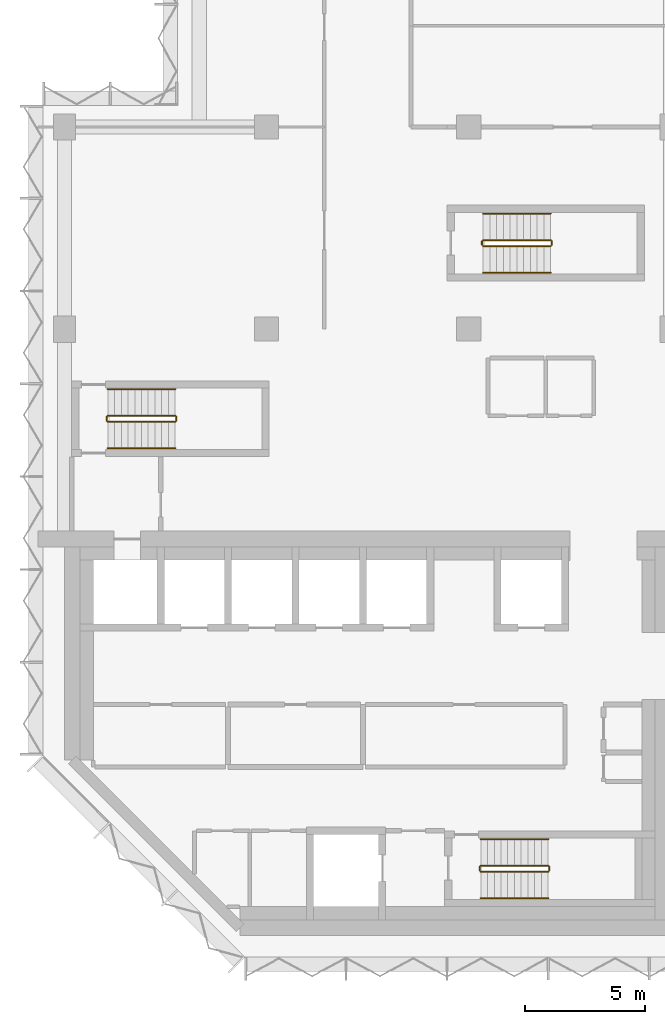
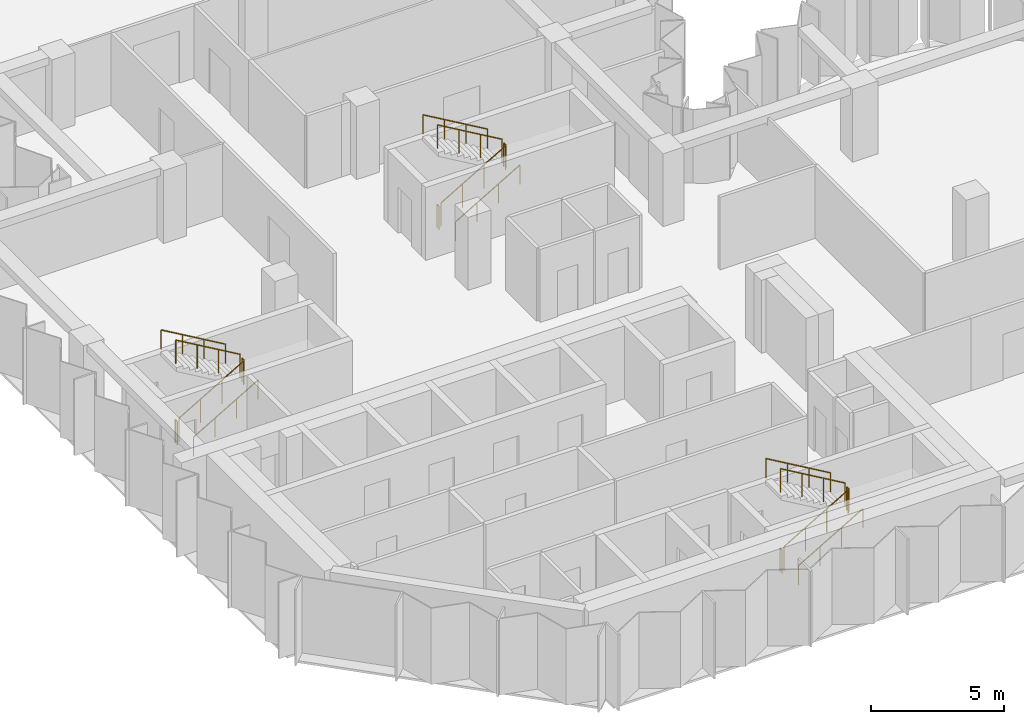
# One storey, part 8 of 9: 18 railings.
"""IFC4 building model written with IfcOpenShell, lengths in metres."""

from ifc_helpers import new_model, si_unit, direction, frame, origin, origin_2d, place, context, subcontext, project, spatial, circle, extrude, material, type_object, element, save


model = new_model("IFC4")

# Units and contexts
model_context = context("Model", 3, precision=1e-05, world=origin(), true_north=direction((0.0, 1.0)))
body_context = subcontext(model_context, "Body", "Model", "MODEL_VIEW")
ifc_project = project(units=[si_unit("LENGTHUNIT", "METRE"), si_unit("AREAUNIT", "SQUARE_METRE"), si_unit("VOLUMEUNIT", "CUBIC_METRE"), si_unit("PLANEANGLEUNIT", "RADIAN"), si_unit("MASSUNIT", "GRAM", prefix="KILO")], contexts=[model_context])

# Site, building, storey
site_placement = place(None, origin())
site = spatial("IfcSite", under=ifc_project, at=site_placement, CompositionType="ELEMENT")
building_placement = place(site_placement, origin())
building = spatial("IfcBuilding", under=site, at=building_placement, Name="Brevane Broadcast Tower", CompositionType="ELEMENT")
storey_placement = place(building_placement, frame((0.0, 0.0, 192.0)))
storey = spatial("IfcBuildingStorey", under=building, at=storey_placement, Name="L48", CompositionType="ELEMENT", Elevation=192.0)

# Railings
ifc_material = material(Name="Steel S355", Category="steel")
railing_type_1 = type_object("IfcRailingType", Name="Exit stair guard", PredefinedType="GUARDRAIL", material=ifc_material)
railing_1_placement = place(storey_placement, frame((1.800048828125, 21.35009765625, 0.16357421875)))
element("IfcRailing", 1, at=railing_1_placement, inside=storey, type_object=railing_type_1, Name="L48 ST-1 stair guard 1", PredefinedType="GUARDRAIL", context=body_context, shape_type="SweptSolid", body=[
    extrude(circle(Radius=0.02392578125, at=origin_2d()), frame((0.0, 0.0, 1.076171875), z_axis=(0.863360870873, 0.0, 0.504586966384), x_axis=(0.0, 1.0, 0.0)), (0.0, 0.0, 1.0), 3.2431640625),
    extrude(circle(Radius=0.02099609375, at=origin_2d()), origin(), (0.0, 0.0, 1.0), 1.052001953125),
    extrude(circle(Radius=0.02099609375, at=origin_2d()), frame((0.933349609375, 0.0, 0.54541015625)), (0.0, 0.0, 1.0), 1.052001953125),
    extrude(circle(Radius=0.02099609375, at=origin_2d()), frame((1.86669921875, 0.0, 1.091064453125)), (0.0, 0.0, 1.0), 1.052001953125),
    extrude(circle(Radius=0.02099609375, at=origin_2d()), frame((2.800048828125, 0.0, 1.636474609375)), (0.0, 0.0, 1.0), 1.052001953125),
])
railing_2_placement = place(storey_placement, frame((4.64990234375, 21.39990234375, 1.800048828125)))
element("IfcRailing", 2, at=railing_2_placement, inside=storey, type_object=railing_type_1, Name="L48 ST-1 stair guard 2", PredefinedType="GUARDRAIL", context=body_context, shape_type="SweptSolid", body=[
    extrude(circle(Radius=0.02392578125, at=origin_2d()), frame((0.0, 0.0, 1.076171875), z_axis=(0.0, 1.0, 0.0), x_axis=(-1.0, 0.0, 0.0)), (0.0, 0.0, 1.0), 0.150146484375),
    extrude(circle(Radius=0.02099609375, at=origin_2d()), origin(), (0.0, 0.0, 1.0), 1.052001953125),
    extrude(circle(Radius=0.02099609375, at=origin_2d()), frame((0.0, 0.150146484375, 0.0)), (0.0, 0.0, 1.0), 1.052001953125),
])
railing_3_placement = place(storey_placement, frame((4.60009765625, 21.60009765625, 1.963623046875)))
element("IfcRailing", 3, at=railing_3_placement, inside=storey, type_object=railing_type_1, Name="L48 ST-1 stair guard 3", PredefinedType="GUARDRAIL", context=body_context, shape_type="SweptSolid", body=[
    extrude(circle(Radius=0.02392578125, at=origin_2d()), frame((0.0, 0.0, 1.076171875), z_axis=(-0.863360870873, 0.0, 0.504586966384), x_axis=(0.0, -1.0, 0.0)), (0.0, 0.0, 1.0), 3.2431640625),
    extrude(circle(Radius=0.02099609375, at=origin_2d()), origin(), (0.0, 0.0, 1.0), 1.052001953125),
    extrude(circle(Radius=0.02099609375, at=origin_2d()), frame((-0.933349609375, 0.0, 0.54541015625)), (0.0, 0.0, 1.0), 1.052001953125),
    extrude(circle(Radius=0.02099609375, at=origin_2d()), frame((-1.86669921875, 0.0, 1.091064453125)), (0.0, 0.0, 1.0), 1.052001953125),
    extrude(circle(Radius=0.02099609375, at=origin_2d()), frame((-2.800048828125, 0.0, 1.636474609375)), (0.0, 0.0, 1.0), 1.052001953125),
])
railing_4_placement = place(storey_placement, frame((1.75, 21.39990234375, 0.0)))
element("IfcRailing", 4, at=railing_4_placement, inside=storey, type_object=railing_type_1, Name="L48 ST-1 stair guard 4", PredefinedType="GUARDRAIL", context=body_context, shape_type="SweptSolid", body=[
    extrude(circle(Radius=0.02392578125, at=origin_2d()), frame((0.0, 0.0, 1.076171875), z_axis=(0.0, 1.0, 0.0), x_axis=(-1.0, 0.0, 0.0)), (0.0, 0.0, 1.0), 0.150146484375),
    extrude(circle(Radius=0.02099609375, at=origin_2d()), origin(), (0.0, 0.0, 1.0), 1.052001953125),
    extrude(circle(Radius=0.02099609375, at=origin_2d()), frame((0.0, 0.150146484375, 0.0)), (0.0, 0.0, 1.0), 1.052001953125),
])
railing_5_placement = place(storey_placement, frame((17.300048828125, 2.64990234375, 0.16357421875)))
element("IfcRailing", 5, at=railing_5_placement, inside=storey, type_object=railing_type_1, Name="L48 ST-2 stair guard 1", PredefinedType="GUARDRAIL", context=body_context, shape_type="SweptSolid", body=[
    extrude(circle(Radius=0.02392578125, at=origin_2d()), frame((0.0, 0.0, 1.076171875), z_axis=(0.863360870873, 0.0, 0.504586966384), x_axis=(0.0, 1.0, 0.0)), (0.0, 0.0, 1.0), 3.2431640625),
    extrude(circle(Radius=0.02099609375, at=origin_2d()), origin(), (0.0, 0.0, 1.0), 1.052001953125),
    extrude(circle(Radius=0.02099609375, at=origin_2d()), frame((0.933349609375, 0.0, 0.54541015625)), (0.0, 0.0, 1.0), 1.052001953125),
    extrude(circle(Radius=0.02099609375, at=origin_2d()), frame((1.86669921875, 0.0, 1.091064453125)), (0.0, 0.0, 1.0), 1.052001953125),
    extrude(circle(Radius=0.02099609375, at=origin_2d()), frame((2.800048828125, 0.0, 1.636474609375)), (0.0, 0.0, 1.0), 1.052001953125),
])
railing_6_placement = place(storey_placement, frame((20.14990234375, 2.699951171875, 1.800048828125)))
element("IfcRailing", 6, at=railing_6_placement, inside=storey, type_object=railing_type_1, Name="L48 ST-2 stair guard 2", PredefinedType="GUARDRAIL", context=body_context, shape_type="SweptSolid", body=[
    extrude(circle(Radius=0.02392578125, at=origin_2d()), frame((0.0, 0.0, 1.076171875), z_axis=(0.0, 1.0, 0.0), x_axis=(-1.0, 0.0, 0.0)), (0.0, 0.0, 1.0), 0.150146484375),
    extrude(circle(Radius=0.02099609375, at=origin_2d()), origin(), (0.0, 0.0, 1.0), 1.052001953125),
    extrude(circle(Radius=0.02099609375, at=origin_2d()), frame((0.0, 0.150146484375, 0.0)), (0.0, 0.0, 1.0), 1.052001953125),
])
railing_7_placement = place(storey_placement, frame((20.10009765625, 2.89990234375, 1.963623046875)))
element("IfcRailing", 7, at=railing_7_placement, inside=storey, type_object=railing_type_1, Name="L48 ST-2 stair guard 3", PredefinedType="GUARDRAIL", context=body_context, shape_type="SweptSolid", body=[
    extrude(circle(Radius=0.02392578125, at=origin_2d()), frame((0.0, 0.0, 1.076171875), z_axis=(-0.863360870873, 0.0, 0.504586966384), x_axis=(0.0, -1.0, 0.0)), (0.0, 0.0, 1.0), 3.2431640625),
    extrude(circle(Radius=0.02099609375, at=origin_2d()), origin(), (0.0, 0.0, 1.0), 1.052001953125),
    extrude(circle(Radius=0.02099609375, at=origin_2d()), frame((-0.933349609375, 0.0, 0.54541015625)), (0.0, 0.0, 1.0), 1.052001953125),
    extrude(circle(Radius=0.02099609375, at=origin_2d()), frame((-1.86669921875, 0.0, 1.091064453125)), (0.0, 0.0, 1.0), 1.052001953125),
    extrude(circle(Radius=0.02099609375, at=origin_2d()), frame((-2.800048828125, 0.0, 1.636474609375)), (0.0, 0.0, 1.0), 1.052001953125),
])
railing_8_placement = place(storey_placement, frame((17.25, 2.699951171875, 0.0)))
element("IfcRailing", 8, at=railing_8_placement, inside=storey, type_object=railing_type_1, Name="L48 ST-2 stair guard 4", PredefinedType="GUARDRAIL", context=body_context, shape_type="SweptSolid", body=[
    extrude(circle(Radius=0.02392578125, at=origin_2d()), frame((0.0, 0.0, 1.076171875), z_axis=(0.0, 1.0, 0.0), x_axis=(-1.0, 0.0, 0.0)), (0.0, 0.0, 1.0), 0.150146484375),
    extrude(circle(Radius=0.02099609375, at=origin_2d()), origin(), (0.0, 0.0, 1.0), 1.052001953125),
    extrude(circle(Radius=0.02099609375, at=origin_2d()), frame((0.0, 0.150146484375, 0.0)), (0.0, 0.0, 1.0), 1.052001953125),
])
railing_9_placement = place(storey_placement, frame((17.39990234375, 28.64990234375, 0.16357421875)))
element("IfcRailing", 9, at=railing_9_placement, inside=storey, type_object=railing_type_1, Name="L48 ST-3 stair guard 1", PredefinedType="GUARDRAIL", context=body_context, shape_type="SweptSolid", body=[
    extrude(circle(Radius=0.02392578125, at=origin_2d()), frame((0.0, 0.0, 1.076171875), z_axis=(0.863360870873, 0.0, 0.504586966384), x_axis=(0.0, 1.0, 0.0)), (0.0, 0.0, 1.0), 3.2431640625),
    extrude(circle(Radius=0.02099609375, at=origin_2d()), origin(), (0.0, 0.0, 1.0), 1.052001953125),
    extrude(circle(Radius=0.02099609375, at=origin_2d()), frame((0.933349609375, 0.0, 0.54541015625)), (0.0, 0.0, 1.0), 1.052001953125),
    extrude(circle(Radius=0.02099609375, at=origin_2d()), frame((1.86669921875, 0.0, 1.091064453125)), (0.0, 0.0, 1.0), 1.052001953125),
    extrude(circle(Radius=0.02099609375, at=origin_2d()), frame((2.800048828125, 0.0, 1.636474609375)), (0.0, 0.0, 1.0), 1.052001953125),
])
railing_10_placement = place(storey_placement, frame((20.25, 28.699951171875, 1.800048828125)))
element("IfcRailing", 10, at=railing_10_placement, inside=storey, type_object=railing_type_1, Name="L48 ST-3 stair guard 2", PredefinedType="GUARDRAIL", context=body_context, shape_type="SweptSolid", body=[
    extrude(circle(Radius=0.02392578125, at=origin_2d()), frame((0.0, 0.0, 1.076171875), z_axis=(0.0, 1.0, 0.0), x_axis=(-1.0, 0.0, 0.0)), (0.0, 0.0, 1.0), 0.150146484375),
    extrude(circle(Radius=0.02099609375, at=origin_2d()), origin(), (0.0, 0.0, 1.0), 1.052001953125),
    extrude(circle(Radius=0.02099609375, at=origin_2d()), frame((0.0, 0.150146484375, 0.0)), (0.0, 0.0, 1.0), 1.052001953125),
])
railing_11_placement = place(storey_placement, frame((20.199951171875, 28.89990234375, 1.963623046875)))
element("IfcRailing", 11, at=railing_11_placement, inside=storey, type_object=railing_type_1, Name="L48 ST-3 stair guard 3", PredefinedType="GUARDRAIL", context=body_context, shape_type="SweptSolid", body=[
    extrude(circle(Radius=0.02392578125, at=origin_2d()), frame((0.0, 0.0, 1.076171875), z_axis=(-0.863360870873, 0.0, 0.504586966384), x_axis=(0.0, -1.0, 0.0)), (0.0, 0.0, 1.0), 3.2431640625),
    extrude(circle(Radius=0.02099609375, at=origin_2d()), origin(), (0.0, 0.0, 1.0), 1.052001953125),
    extrude(circle(Radius=0.02099609375, at=origin_2d()), frame((-0.933349609375, 0.0, 0.54541015625)), (0.0, 0.0, 1.0), 1.052001953125),
    extrude(circle(Radius=0.02099609375, at=origin_2d()), frame((-1.86669921875, 0.0, 1.091064453125)), (0.0, 0.0, 1.0), 1.052001953125),
    extrude(circle(Radius=0.02099609375, at=origin_2d()), frame((-2.800048828125, 0.0, 1.636474609375)), (0.0, 0.0, 1.0), 1.052001953125),
])
railing_12_placement = place(storey_placement, frame((17.35009765625, 28.699951171875, 0.0)))
element("IfcRailing", 12, at=railing_12_placement, inside=storey, type_object=railing_type_1, Name="L48 ST-3 stair guard 4", PredefinedType="GUARDRAIL", context=body_context, shape_type="SweptSolid", body=[
    extrude(circle(Radius=0.02392578125, at=origin_2d()), frame((0.0, 0.0, 1.076171875), z_axis=(0.0, 1.0, 0.0), x_axis=(-1.0, 0.0, 0.0)), (0.0, 0.0, 1.0), 0.150146484375),
    extrude(circle(Radius=0.02099609375, at=origin_2d()), origin(), (0.0, 0.0, 1.0), 1.052001953125),
    extrude(circle(Radius=0.02099609375, at=origin_2d()), frame((0.0, 0.150146484375, 0.0)), (0.0, 0.0, 1.0), 1.052001953125),
])
railing_type_2 = type_object("IfcRailingType", Name="Exit stair handrail", PredefinedType="HANDRAIL", material=ifc_material)
railing_13_placement = place(storey_placement, frame((1.800048828125, 20.25, 0.16357421875)))
element("IfcRailing", 13, at=railing_13_placement, inside=storey, type_object=railing_type_2, Name="L48 ST-1 stair handrail 1", PredefinedType="HANDRAIL", context=body_context, shape_type="SweptSolid", body=[
    extrude(circle(Radius=0.02392578125, at=origin_2d()), frame((0.0, 0.0, 0.8759765625), z_axis=(0.863360870873, 0.0, 0.504586966384), x_axis=(0.0, 1.0, 0.0)), (0.0, 0.0, 1.0), 3.2431640625),
    extrude(circle(Radius=0.02099609375, at=origin_2d()), origin(), (0.0, 0.0, 1.0), 0.851806640625),
    extrude(circle(Radius=0.02099609375, at=origin_2d()), frame((0.933349609375, 0.0, 0.54541015625)), (0.0, 0.0, 1.0), 0.851806640625),
    extrude(circle(Radius=0.02099609375, at=origin_2d()), frame((1.86669921875, 0.0, 1.091064453125)), (0.0, 0.0, 1.0), 0.851806640625),
    extrude(circle(Radius=0.02099609375, at=origin_2d()), frame((2.800048828125, 0.0, 1.636474609375)), (0.0, 0.0, 1.0), 0.851806640625),
])
railing_14_placement = place(storey_placement, frame((4.60009765625, 22.699951171875, 1.963623046875)))
element("IfcRailing", 14, at=railing_14_placement, inside=storey, type_object=railing_type_2, Name="L48 ST-1 stair handrail 2", PredefinedType="HANDRAIL", context=body_context, shape_type="SweptSolid", body=[
    extrude(circle(Radius=0.02392578125, at=origin_2d()), frame((0.0, 0.0, 0.8759765625), z_axis=(-0.863360870873, 0.0, 0.504586966384), x_axis=(0.0, -1.0, 0.0)), (0.0, 0.0, 1.0), 3.2431640625),
    extrude(circle(Radius=0.02099609375, at=origin_2d()), origin(), (0.0, 0.0, 1.0), 0.851806640625),
    extrude(circle(Radius=0.02099609375, at=origin_2d()), frame((-0.933349609375, 0.0, 0.54541015625)), (0.0, 0.0, 1.0), 0.851806640625),
    extrude(circle(Radius=0.02099609375, at=origin_2d()), frame((-1.86669921875, 0.0, 1.091064453125)), (0.0, 0.0, 1.0), 0.851806640625),
    extrude(circle(Radius=0.02099609375, at=origin_2d()), frame((-2.800048828125, 0.0, 1.636474609375)), (0.0, 0.0, 1.0), 0.851806640625),
])
railing_15_placement = place(storey_placement, frame((17.300048828125, 1.550048828125, 0.16357421875)))
element("IfcRailing", 15, at=railing_15_placement, inside=storey, type_object=railing_type_2, Name="L48 ST-2 stair handrail 1", PredefinedType="HANDRAIL", context=body_context, shape_type="SweptSolid", body=[
    extrude(circle(Radius=0.02392578125, at=origin_2d()), frame((0.0, 0.0, 0.8759765625), z_axis=(0.863360870873, 0.0, 0.504586966384), x_axis=(0.0, 1.0, 0.0)), (0.0, 0.0, 1.0), 3.2431640625),
    extrude(circle(Radius=0.02099609375, at=origin_2d()), origin(), (0.0, 0.0, 1.0), 0.851806640625),
    extrude(circle(Radius=0.02099609375, at=origin_2d()), frame((0.933349609375, 0.0, 0.54541015625)), (0.0, 0.0, 1.0), 0.851806640625),
    extrude(circle(Radius=0.02099609375, at=origin_2d()), frame((1.86669921875, 0.0, 1.091064453125)), (0.0, 0.0, 1.0), 0.851806640625),
    extrude(circle(Radius=0.02099609375, at=origin_2d()), frame((2.800048828125, 0.0, 1.636474609375)), (0.0, 0.0, 1.0), 0.851806640625),
])
railing_16_placement = place(storey_placement, frame((20.10009765625, 4.0, 1.963623046875)))
element("IfcRailing", 16, at=railing_16_placement, inside=storey, type_object=railing_type_2, Name="L48 ST-2 stair handrail 2", PredefinedType="HANDRAIL", context=body_context, shape_type="SweptSolid", body=[
    extrude(circle(Radius=0.02392578125, at=origin_2d()), frame((0.0, 0.0, 0.8759765625), z_axis=(-0.863360870873, 0.0, 0.504586966384), x_axis=(0.0, -1.0, 0.0)), (0.0, 0.0, 1.0), 3.2431640625),
    extrude(circle(Radius=0.02099609375, at=origin_2d()), origin(), (0.0, 0.0, 1.0), 0.851806640625),
    extrude(circle(Radius=0.02099609375, at=origin_2d()), frame((-0.933349609375, 0.0, 0.54541015625)), (0.0, 0.0, 1.0), 0.851806640625),
    extrude(circle(Radius=0.02099609375, at=origin_2d()), frame((-1.86669921875, 0.0, 1.091064453125)), (0.0, 0.0, 1.0), 0.851806640625),
    extrude(circle(Radius=0.02099609375, at=origin_2d()), frame((-2.800048828125, 0.0, 1.636474609375)), (0.0, 0.0, 1.0), 0.851806640625),
])
railing_17_placement = place(storey_placement, frame((17.39990234375, 27.550048828125, 0.16357421875)))
element("IfcRailing", 17, at=railing_17_placement, inside=storey, type_object=railing_type_2, Name="L48 ST-3 stair handrail 1", PredefinedType="HANDRAIL", context=body_context, shape_type="SweptSolid", body=[
    extrude(circle(Radius=0.02392578125, at=origin_2d()), frame((0.0, 0.0, 0.8759765625), z_axis=(0.863360870873, 0.0, 0.504586966384), x_axis=(0.0, 1.0, 0.0)), (0.0, 0.0, 1.0), 3.2431640625),
    extrude(circle(Radius=0.02099609375, at=origin_2d()), origin(), (0.0, 0.0, 1.0), 0.851806640625),
    extrude(circle(Radius=0.02099609375, at=origin_2d()), frame((0.933349609375, 0.0, 0.54541015625)), (0.0, 0.0, 1.0), 0.851806640625),
    extrude(circle(Radius=0.02099609375, at=origin_2d()), frame((1.86669921875, 0.0, 1.091064453125)), (0.0, 0.0, 1.0), 0.851806640625),
    extrude(circle(Radius=0.02099609375, at=origin_2d()), frame((2.800048828125, 0.0, 1.636474609375)), (0.0, 0.0, 1.0), 0.851806640625),
])
railing_18_placement = place(storey_placement, frame((20.199951171875, 30.0, 1.963623046875)))
element("IfcRailing", 18, at=railing_18_placement, inside=storey, type_object=railing_type_2, Name="L48 ST-3 stair handrail 2", PredefinedType="HANDRAIL", context=body_context, shape_type="SweptSolid", body=[
    extrude(circle(Radius=0.02392578125, at=origin_2d()), frame((0.0, 0.0, 0.8759765625), z_axis=(-0.863360870873, 0.0, 0.504586966384), x_axis=(0.0, -1.0, 0.0)), (0.0, 0.0, 1.0), 3.2431640625),
    extrude(circle(Radius=0.02099609375, at=origin_2d()), origin(), (0.0, 0.0, 1.0), 0.851806640625),
    extrude(circle(Radius=0.02099609375, at=origin_2d()), frame((-0.933349609375, 0.0, 0.54541015625)), (0.0, 0.0, 1.0), 0.851806640625),
    extrude(circle(Radius=0.02099609375, at=origin_2d()), frame((-1.86669921875, 0.0, 1.091064453125)), (0.0, 0.0, 1.0), 0.851806640625),
    extrude(circle(Radius=0.02099609375, at=origin_2d()), frame((-2.800048828125, 0.0, 1.636474609375)), (0.0, 0.0, 1.0), 0.851806640625),
])

save(model, "model.ifc")
